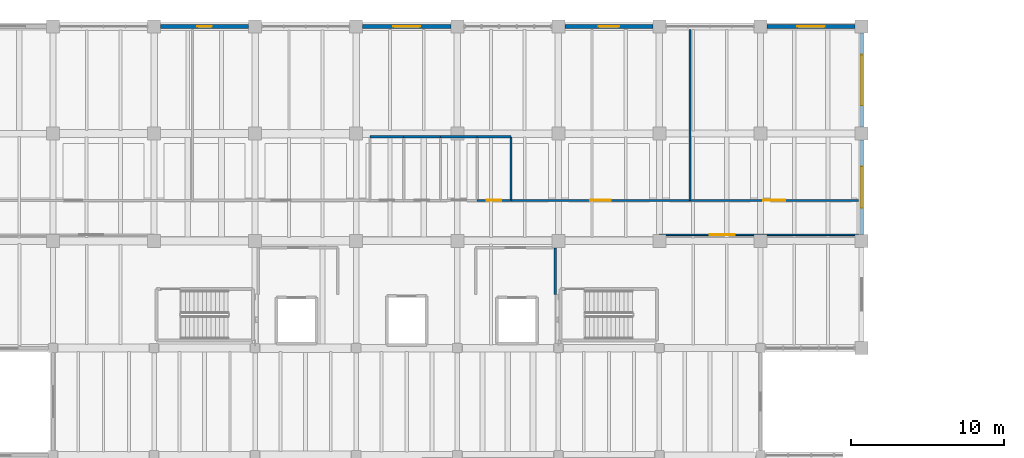
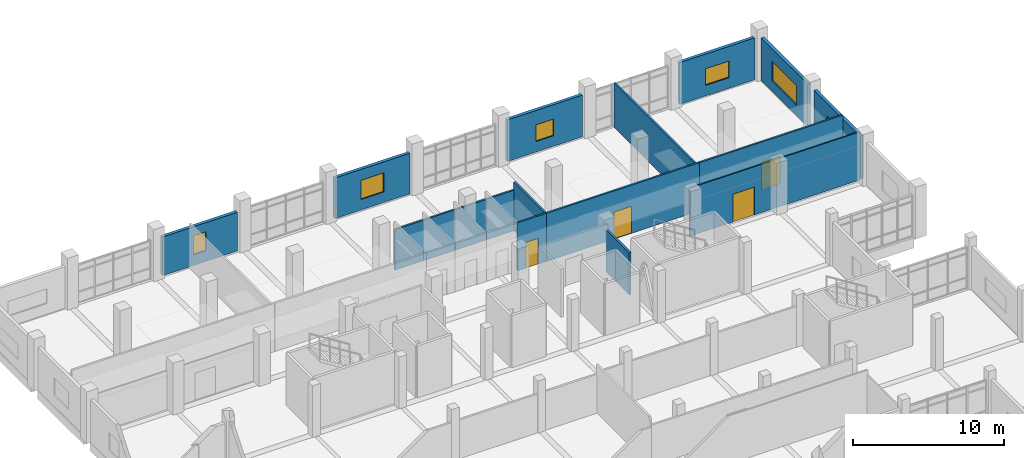
# One storey, part 50 of 68: 17 walls, 6 windows, 4 doors, 10 openings.
"""IFC4 building model written with IfcOpenShell, lengths in metres."""

import ifcopenshell
import ifcopenshell.guid

model = None  # the IFC model being written
_history = None  # IfcOwnerHistory: only IFC2X3 demands one
_inside = {}  # id of a spatial element -> (the spatial element, [elements in it])
_under = {}  # id of a project, library or spatial element -> (it, [spatial elements below it])
_declared = {}  # id of a project -> (the project, [libraries it declares])
_typed = {}  # id of a type object -> (the type object, [elements of that type])
_made_of = {}  # id of a material, layer set ... -> (it, [elements and type objects made of it])


def new_model(schema):
    """Start an empty IFC model of exactly this schema.

    Asked for "IFC4X3", IfcOpenShell would pick the latest addendum, in which some entities
    have other attributes; the version numbers below select the first issue.
    IFC2X3 requires an IfcOwnerHistory on every rooted entity: one is made here for all.
    """
    global model, _history
    if schema == "IFC4X3":
        model = ifcopenshell.file(schema_version=(4, 3, 0, 0))
    else:
        model = ifcopenshell.file(schema=schema)
    _inside.clear()
    _under.clear()
    _declared.clear()
    _typed.clear()
    _made_of.clear()
    _history = None
    if model.schema == "IFC2X3":
        org = make("IfcOrganization", Name="unknown")
        user = make(
            "IfcPersonAndOrganization",
            ThePerson=make("IfcPerson", FamilyName="unknown"),
            TheOrganization=org,
        )
        app = make(
            "IfcApplication",
            ApplicationDeveloper=org,
            Version="unknown",
            ApplicationFullName="unknown",
            ApplicationIdentifier="unknown",
        )
        _history = make(
            "IfcOwnerHistory",
            OwningUser=user,
            OwningApplication=app,
            ChangeAction="ADDED",
            CreationDate=0,
        )
    return model


def make(cls, **values):
    """One entity of the class cls with the attributes given. An attribute that is None is left unset."""
    return model.create_entity(
        cls, **{name: value for name, value in values.items() if value is not None}
    )


def rooted(cls, **values):
    """An entity with a GlobalId (a new one), such as an element, a storey or a relation."""
    return make(cls, GlobalId=ifcopenshell.guid.new(), OwnerHistory=_history, **values)


def si_unit(unit_type, name, prefix=None):
    """IfcSIUnit, for example si_unit("LENGTHUNIT", "METRE", prefix="MILLI")."""
    return make("IfcSIUnit", UnitType=unit_type, Prefix=prefix, Name=name)


def assignment(units):
    """IfcUnitAssignment: the units of a project."""
    return None if units is None else make("IfcUnitAssignment", Units=units)


def point(xyz):
    """IfcCartesianPoint."""
    return None if xyz is None else make("IfcCartesianPoint", Coordinates=xyz)


def direction(xyz):
    """IfcDirection."""
    return None if xyz is None else make("IfcDirection", DirectionRatios=xyz)


def frame(location, z_axis=None, x_axis=None):
    """IfcAxis2Placement3D, a coordinate frame: its origin and axes. An axis left out is left unset."""
    return make(
        "IfcAxis2Placement3D",
        Location=point(location),
        Axis=direction(z_axis),
        RefDirection=direction(x_axis),
    )


def frame_2d(location, x_axis=None):
    """IfcAxis2Placement2D, a coordinate frame in the plane: its origin and x axis."""
    return make(
        "IfcAxis2Placement2D", Location=point(location), RefDirection=direction(x_axis)
    )


def origin():
    """The frame at (0, 0, 0) with its axes left unset."""
    return frame((0.0, 0.0, 0.0))


def place(relative_to, where):
    """IfcLocalPlacement: puts the frame where relative to a parent placement (None: the world)."""
    return make(
        "IfcLocalPlacement", PlacementRelTo=relative_to, RelativePlacement=where
    )


def context(
    kind, dimensions, precision=None, world=None, true_north=None, identifier=None
):
    """IfcGeometricRepresentationContext, for example the 3D "Model" context."""
    return make(
        "IfcGeometricRepresentationContext",
        ContextIdentifier=identifier,
        ContextType=kind,
        CoordinateSpaceDimension=dimensions,
        Precision=precision,
        WorldCoordinateSystem=world,
        TrueNorth=true_north,
    )


def subcontext(parent, identifier, kind, view, scale=None):
    """IfcGeometricRepresentationSubContext, for example "Body" below "Model"."""
    return make(
        "IfcGeometricRepresentationSubContext",
        ContextIdentifier=identifier,
        ContextType=kind,
        ParentContext=parent,
        TargetScale=scale,
        TargetView=view,
    )


def project(units=None, contexts=None):
    """IfcProject with its units and contexts."""
    return rooted(
        "IfcProject",
        Name="project",
        RepresentationContexts=contexts,
        UnitsInContext=assignment(units),
    )


def spatial(cls, under=None, at=None, **own):
    """A site, building, storey or space (cls), placed at a placement, below another one or the project."""
    s = rooted(cls, ObjectPlacement=at, **own)
    if under is not None:
        _under.setdefault(under.id(), (under, []))[1].append(s)
    return s


def profile(cls, at=None, kind="AREA", **sizes):
    """A parametric profile (cls). Its sizes go by their IFC names, for example OverallWidth=200.0."""
    return make(cls, ProfileType=kind, Position=at, **sizes)


def rectangle(**sizes):
    """IfcRectangleProfileDef."""
    return profile("IfcRectangleProfileDef", **sizes)


def extrude(swept, where, along, depth):
    """IfcExtrudedAreaSolid: the profile swept, set in the frame where, extruded along a direction by depth."""
    return make(
        "IfcExtrudedAreaSolid",
        SweptArea=swept,
        Position=where,
        ExtrudedDirection=direction(along),
        Depth=depth,
    )


def shape(context_of_items, identifier, shape_type, items):
    """IfcShapeRepresentation: the items that make up one representation, for example the "Body"."""
    return make(
        "IfcShapeRepresentation",
        ContextOfItems=context_of_items,
        RepresentationIdentifier=identifier,
        RepresentationType=shape_type,
        Items=items,
    )


def material(Name=None, Category=None):
    """IfcMaterial."""
    return make("IfcMaterial", Name=Name, Category=Category)


def layer(
    of_material, thickness, ventilated=None, Name=None, Category=None, Priority=None
):
    """IfcMaterialLayer: one layer of a wall or slab, of a material (None: an air gap)."""
    return make(
        "IfcMaterialLayer",
        Material=of_material,
        LayerThickness=thickness,
        IsVentilated=ventilated,
        Name=Name,
        Category=Category,
        Priority=Priority,
    )


def layer_set(layers, Name=None):
    """IfcMaterialLayerSet."""
    return make("IfcMaterialLayerSet", MaterialLayers=layers, LayerSetName=Name)


def made_of(thing, what):
    """Note that an element or type object is made of a material, layer set ...; save() writes the relation."""
    if what is not None:
        _made_of.setdefault(what.id(), (what, []))[1].append(thing)
    return thing


def type_object(cls, material=None, **own):
    """A type object (cls), such as IfcWallType, which elements share."""
    return made_of(rooted(cls, **own), material)


def element(
    cls,
    number,
    at=None,
    inside=None,
    cuts=None,
    type_object=None,
    material=None,
    context=None,
    identifier="Body",
    shape_type=None,
    held_by="IfcProductDefinitionShape",
    body=None,
    shapes=None,
    **own,
):
    """One element of the class cls, such as IfcWall. Its Tag is "e" and its number.

    at: its placement. inside: the storey or other place that contains it. cuts: it is an
    opening in that element (IfcRelVoidsElement). A single representation is given by context,
    identifier, shape_type and body (its items); several are given by shapes. held_by: the class
    of the entity that holds the representations. save() writes the other relations.
    """
    e = rooted(cls, Tag="e%d" % number, ObjectPlacement=at, **own)
    if body is not None:
        shapes = [shape(context, identifier, shape_type, body)]
    if shapes is not None:
        e.Representation = make(held_by, Representations=shapes)
    if inside is not None:
        _inside.setdefault(inside.id(), (inside, []))[1].append(e)
    if cuts is not None:
        rooted(
            "IfcRelVoidsElement", RelatingBuildingElement=cuts, RelatedOpeningElement=e
        )
    if type_object is not None:
        _typed.setdefault(type_object.id(), (type_object, []))[1].append(e)
    return made_of(e, material)


def fill(opening, filler):
    """IfcRelFillsElement: the door or window that sits in an opening."""
    return rooted(
        "IfcRelFillsElement",
        RelatingOpeningElement=opening,
        RelatedBuildingElement=filler,
    )


def aggregate(whole, parts):
    """IfcRelAggregates: a whole, such as a stair, and the parts it consists of."""
    return rooted("IfcRelAggregates", RelatingObject=whole, RelatedObjects=parts)


def save(model, path):
    """Write the relations noted so far, then the file.

    IfcRelAggregates (storeys below a building ...), IfcRelContainedInSpatialStructure (elements
    in a storey), IfcRelDefinesByType, IfcRelAssociatesMaterial and IfcRelDeclares: one each for
    every whole, place, type object, material and project.
    """
    for whole, parts in _under.values():
        aggregate(whole, parts)
    for where, things in _inside.values():
        rooted(
            "IfcRelContainedInSpatialStructure",
            RelatedElements=things,
            RelatingStructure=where,
        )
    for kind, things in _typed.values():
        rooted("IfcRelDefinesByType", RelatedObjects=things, RelatingType=kind)
    for what, things in _made_of.values():
        rooted("IfcRelAssociatesMaterial", RelatedObjects=things, RelatingMaterial=what)
    for by, libraries in _declared.values():
        rooted("IfcRelDeclares", RelatingContext=by, RelatedDefinitions=libraries)
    model.write(path)


model = new_model("IFC4")

# Units and contexts
model_context = context("Model", 3, precision=1e-05, world=origin(), true_north=direction((0.0, 1.0)))
body_context = subcontext(model_context, "Body", "Model", "MODEL_VIEW")
ifc_project = project(units=[si_unit("LENGTHUNIT", "METRE"), si_unit("AREAUNIT", "SQUARE_METRE"), si_unit("VOLUMEUNIT", "CUBIC_METRE"), si_unit("PLANEANGLEUNIT", "RADIAN"), si_unit("MASSUNIT", "GRAM", prefix="KILO")], contexts=[model_context])

# Site, building, storey
site_placement = place(None, origin())
site = spatial("IfcSite", under=ifc_project, at=site_placement, CompositionType="ELEMENT")
building_placement = place(site_placement, origin())
building = spatial("IfcBuilding", under=site, at=building_placement, Name="Ciguamira Faculty of Natural Sciences", CompositionType="ELEMENT")
storey_placement = place(building_placement, frame((0.0, 0.0, 4.199951171875)))
storey = spatial("IfcBuildingStorey", under=building, at=storey_placement, Name="L01", CompositionType="ELEMENT", Elevation=4.199951171875)

# Wall, opening, window
ifc_material_1 = material(Name="Precast concrete C40/50", Category="concrete")
ifc_layer_1 = layer(ifc_material_1, 0.239990234375, Name="Precast concrete C40/50")
ifc_layer_set_1 = layer_set([ifc_layer_1], Name="Precast concrete C40/50")
wall_type_1 = type_object("IfcWallType", Name="ExtWall_EW-02_240", PredefinedType="SOLIDWALL", material=ifc_layer_set_1)
wall_1_placement = place(storey_placement, frame((70.925048828125, 115.0, 0.0), z_axis=(0.0, 0.0, 1.0), x_axis=(1.0, 0.0, 0.0)))
wall_1 = element("IfcWall", 1, at=wall_1_placement, inside=storey, type_object=wall_type_1, Name="L01 exterior wall 0169", PredefinedType="SOLIDWALL", context=body_context, shape_type="SweptSolid", body=[
    extrude(rectangle(XDim=5.75, YDim=0.239990234375, at=frame_2d((2.875, 0.0))), origin(), (0.0, 0.0, 1.0), 3.135009765625),
])
opening_1_placement = place(wall_1_placement, frame((2.39990234375, 0.0, 0.85009765625)))
opening_1 = element("IfcOpeningElement", 2, at=opening_1_placement, cuts=wall_1, Name="Opening WT-36", PredefinedType="OPENING", context=body_context, shape_type="SweptSolid", body=[
    extrude(rectangle(XDim=0.949951171875, YDim=1.550048828125, at=frame_2d((0.47509765625, 0.77490234375))), frame((0.0, 0.1298828125, 0.0), z_axis=(0.0, -1.0, 0.0), x_axis=(1.0, 0.0, 0.0)), (0.0, 0.0, 1.0), 0.260009765625),
])
ifc_material_2 = material(Name="Hurricane laminated solar glass", Category="glass")
window_type_1 = type_object("IfcWindowType", Name="Window_WT-36_950x1550", PartitioningType="DOUBLE_PANEL_VERTICAL", PredefinedType="WINDOW", material=ifc_material_2)
window_1_placement = place(opening_1_placement, origin())
window_1 = element("IfcWindow", 3, at=window_1_placement, inside=storey, type_object=window_type_1, Name="L01 facade window 0085", OverallHeight=1.550048828125, OverallWidth=0.949951171875, PartitioningType="SINGLE_PANEL", PredefinedType="WINDOW", context=body_context, shape_type="SweptSolid", body=[
    extrude(rectangle(XDim=0.949951171875, YDim=1.550048828125, at=frame_2d((0.47509765625, 0.77490234375))), frame((0.0, 0.030029296875, 0.0), z_axis=(0.0, -1.0, 0.0), x_axis=(1.0, 0.0, 0.0)), (0.0, 0.0, 1.0), 0.06005859375),
])
fill(opening_1, window_1)

wall_2_placement = place(storey_placement, frame((84.125, 115.0, 0.0), z_axis=(0.0, 0.0, 1.0), x_axis=(1.0, 0.0, 0.0)))
wall_2 = element("IfcWall", 4, at=wall_2_placement, inside=storey, type_object=wall_type_1, Name="L01 exterior wall 0170", PredefinedType="SOLIDWALL", context=body_context, shape_type="SweptSolid", body=[
    extrude(rectangle(XDim=5.75, YDim=0.239990234375, at=frame_2d((2.875, 0.0))), origin(), (0.0, 0.0, 1.0), 3.28515625),
])
opening_2_placement = place(wall_2_placement, frame((2.0, 0.0, 0.85009765625)))
opening_2 = element("IfcOpeningElement", 5, at=opening_2_placement, cuts=wall_2, Name="Opening WT-39", PredefinedType="OPENING", context=body_context, shape_type="SweptSolid", body=[
    extrude(rectangle(XDim=1.75, YDim=1.550048828125, at=frame_2d((0.875, 0.77490234375))), frame((0.0, 0.1298828125, 0.0), z_axis=(0.0, -1.0, 0.0), x_axis=(1.0, 0.0, 0.0)), (0.0, 0.0, 1.0), 0.260009765625),
])
window_type_2 = type_object("IfcWindowType", Name="Window_WT-39_1750x1550", PartitioningType="DOUBLE_PANEL_VERTICAL", PredefinedType="WINDOW", material=ifc_material_2)
window_2_placement = place(opening_2_placement, origin())
window_2 = element("IfcWindow", 6, at=window_2_placement, inside=storey, type_object=window_type_2, Name="L01 facade window 0086", OverallHeight=1.550048828125, OverallWidth=1.75, PartitioningType="SINGLE_PANEL", PredefinedType="WINDOW", context=body_context, shape_type="SweptSolid", body=[
    extrude(rectangle(XDim=1.75, YDim=1.550048828125, at=frame_2d((0.875, 0.77490234375))), frame((0.0, 0.030029296875, 0.0), z_axis=(0.0, -1.0, 0.0), x_axis=(1.0, 0.0, 0.0)), (0.0, 0.0, 1.0), 0.06005859375),
])
fill(opening_2, window_2)

wall_3_placement = place(storey_placement, frame((97.324951171875, 115.0, 0.0), z_axis=(0.0, 0.0, 1.0), x_axis=(1.0, 0.0, 0.0)))
wall_3 = element("IfcWall", 7, at=wall_3_placement, inside=storey, type_object=wall_type_1, Name="L01 exterior wall 0171", PredefinedType="SOLIDWALL", context=body_context, shape_type="SweptSolid", body=[
    extrude(rectangle(XDim=5.75, YDim=0.239990234375, at=frame_2d((2.875, 0.0))), origin(), (0.0, 0.0, 1.0), 3.364990234375),
])
opening_3_placement = place(wall_3_placement, frame((2.199951171875, 0.0, 0.85009765625)))
opening_3 = element("IfcOpeningElement", 8, at=opening_3_placement, cuts=wall_3, Name="Opening WT-02", PredefinedType="OPENING", context=body_context, shape_type="SweptSolid", body=[
    extrude(rectangle(XDim=1.35009765625, YDim=1.35009765625, at=frame_2d((0.675048828125, 0.675048828125))), frame((0.0, 0.1298828125, 0.0), z_axis=(0.0, -1.0, 0.0), x_axis=(1.0, 0.0, 0.0)), (0.0, 0.0, 1.0), 0.260009765625),
])
window_type_3 = type_object("IfcWindowType", Name="Window_WT-02_1350x1350", PartitioningType="DOUBLE_PANEL_VERTICAL", PredefinedType="WINDOW", material=ifc_material_2)
window_3_placement = place(opening_3_placement, origin())
window_3 = element("IfcWindow", 9, at=window_3_placement, inside=storey, type_object=window_type_3, Name="L01 facade window 0087", OverallHeight=1.35009765625, OverallWidth=1.35009765625, PartitioningType="SINGLE_PANEL", PredefinedType="WINDOW", context=body_context, shape_type="SweptSolid", body=[
    extrude(rectangle(XDim=1.35009765625, YDim=1.35009765625, at=frame_2d((0.675048828125, 0.675048828125))), frame((0.0, 0.030029296875, 0.0), z_axis=(0.0, -1.0, 0.0), x_axis=(1.0, 0.0, 0.0)), (0.0, 0.0, 1.0), 0.06005859375),
])
fill(opening_3, window_3)

wall_4_placement = place(storey_placement, frame((110.52490234375, 115.0, 0.0), z_axis=(0.0, 0.0, 1.0), x_axis=(1.0, 0.0, 0.0)))
wall_4 = element("IfcWall", 10, at=wall_4_placement, inside=storey, type_object=wall_type_1, Name="L01 exterior wall 0172", PredefinedType="SOLIDWALL", context=body_context, shape_type="SweptSolid", body=[
    extrude(rectangle(XDim=5.75, YDim=0.239990234375, at=frame_2d((2.875, 0.0))), origin(), (0.0, 0.0, 1.0), 3.385009765625),
])
opening_4_placement = place(wall_4_placement, frame((1.97509765625, 0.0, 0.85009765625)))
opening_4 = element("IfcOpeningElement", 11, at=opening_4_placement, cuts=wall_4, Name="Opening WT-05", PredefinedType="OPENING", context=body_context, shape_type="SweptSolid", body=[
    extrude(rectangle(XDim=1.800048828125, YDim=1.35009765625, at=frame_2d((0.89990234375, 0.675048828125))), frame((0.0, 0.1298828125, 0.0), z_axis=(0.0, -1.0, 0.0), x_axis=(1.0, 0.0, 0.0)), (0.0, 0.0, 1.0), 0.260009765625),
])
window_type_4 = type_object("IfcWindowType", Name="Window_WT-05_1800x1350", PartitioningType="DOUBLE_PANEL_VERTICAL", PredefinedType="WINDOW", material=ifc_material_2)
window_4_placement = place(opening_4_placement, origin())
window_4 = element("IfcWindow", 12, at=window_4_placement, inside=storey, type_object=window_type_4, Name="L01 facade window 0088", OverallHeight=1.35009765625, OverallWidth=1.800048828125, PartitioningType="SINGLE_PANEL", PredefinedType="WINDOW", context=body_context, shape_type="SweptSolid", body=[
    extrude(rectangle(XDim=1.800048828125, YDim=1.35009765625, at=frame_2d((0.89990234375, 0.675048828125))), frame((0.0, 0.030029296875, 0.0), z_axis=(0.0, -1.0, 0.0), x_axis=(1.0, 0.0, 0.0)), (0.0, 0.0, 1.0), 0.06005859375),
])
fill(opening_4, window_4)

wall_5_placement = place(storey_placement, frame((116.699951171875, 101.425048828125, 0.0), z_axis=(0.0, 0.0, 1.0), x_axis=(0.0, 1.0, 0.0)))
wall_5 = element("IfcWall", 13, at=wall_5_placement, inside=storey, type_object=wall_type_1, Name="L01 exterior wall 0201", PredefinedType="SOLIDWALL", context=body_context, shape_type="SweptSolid", body=[
    extrude(rectangle(XDim=6.14990234375, YDim=0.239990234375, at=frame_2d((3.074951171875, 0.0))), origin(), (0.0, 0.0, 1.0), 3.465087890625),
])
opening_5_placement = place(wall_5_placement, frame((1.72509765625, 0.0, 0.85009765625)))
opening_5 = element("IfcOpeningElement", 14, at=opening_5_placement, cuts=wall_5, Name="Opening WT-24", PredefinedType="OPENING", context=body_context, shape_type="SweptSolid", body=[
    extrude(rectangle(XDim=2.699951171875, YDim=1.60009765625, at=frame_2d((1.35009765625, 0.800048828125))), frame((0.0, 0.1298828125, 0.0), z_axis=(0.0, -1.0, 0.0), x_axis=(1.0, 0.0, 0.0)), (0.0, 0.0, 1.0), 0.260009765625),
])
window_type_5 = type_object("IfcWindowType", Name="Window_WT-24_2700x1600", PartitioningType="DOUBLE_PANEL_VERTICAL", PredefinedType="WINDOW", material=ifc_material_2)
window_5_placement = place(opening_5_placement, origin())
window_5 = element("IfcWindow", 15, at=window_5_placement, inside=storey, type_object=window_type_5, Name="L01 facade window 0116", OverallHeight=1.60009765625, OverallWidth=2.699951171875, PartitioningType="SINGLE_PANEL", PredefinedType="WINDOW", context=body_context, shape_type="SweptSolid", body=[
    extrude(rectangle(XDim=2.699951171875, YDim=1.60009765625, at=frame_2d((1.35009765625, 0.800048828125))), frame((0.0, 0.030029296875, 0.0), z_axis=(0.0, -1.0, 0.0), x_axis=(1.0, 0.0, 0.0)), (0.0, 0.0, 1.0), 0.06005859375),
])
fill(opening_5, window_5)

wall_6_placement = place(storey_placement, frame((116.699951171875, 108.425048828125, 0.0), z_axis=(0.0, 0.0, 1.0), x_axis=(0.0, 1.0, 0.0)))
wall_6 = element("IfcWall", 16, at=wall_6_placement, inside=storey, type_object=wall_type_1, Name="L01 exterior wall 0202", PredefinedType="SOLIDWALL", context=body_context, shape_type="SweptSolid", body=[
    extrude(rectangle(XDim=6.14990234375, YDim=0.239990234375, at=frame_2d((3.074951171875, 0.0))), origin(), (0.0, 0.0, 1.0), 3.465087890625),
])
opening_6_placement = place(wall_6_placement, frame((1.425048828125, 0.0, 0.85009765625)))
opening_6 = element("IfcOpeningElement", 17, at=opening_6_placement, cuts=wall_6, Name="Opening WT-26", PredefinedType="OPENING", context=body_context, shape_type="SweptSolid", body=[
    extrude(rectangle(XDim=3.300048828125, YDim=1.60009765625, at=frame_2d((1.64990234375, 0.800048828125))), frame((0.0, 0.1298828125, 0.0), z_axis=(0.0, -1.0, 0.0), x_axis=(1.0, 0.0, 0.0)), (0.0, 0.0, 1.0), 0.260009765625),
])
window_type_6 = type_object("IfcWindowType", Name="Window_WT-26_3300x1600", PartitioningType="DOUBLE_PANEL_VERTICAL", PredefinedType="WINDOW", material=ifc_material_2)
window_6_placement = place(opening_6_placement, origin())
window_6 = element("IfcWindow", 18, at=window_6_placement, inside=storey, type_object=window_type_6, Name="L01 facade window 0117", OverallHeight=1.60009765625, OverallWidth=3.300048828125, PartitioningType="SINGLE_PANEL", PredefinedType="WINDOW", context=body_context, shape_type="SweptSolid", body=[
    extrude(rectangle(XDim=3.300048828125, YDim=1.60009765625, at=frame_2d((1.64990234375, 0.800048828125))), frame((0.0, 0.030029296875, 0.0), z_axis=(0.0, -1.0, 0.0), x_axis=(1.0, 0.0, 0.0)), (0.0, 0.0, 1.0), 0.06005859375),
])
fill(opening_6, window_6)

# Wall, opening, door
ifc_material_3 = material(Name="Fire-rated gypsum partition")
ifc_layer_2 = layer(ifc_material_3, 0.10009765625, Name="Fire-rated gypsum partition")
ifc_layer_set_2 = layer_set([ifc_layer_2], Name="Fire-rated gypsum partition")
wall_type_2 = type_object("IfcWallType", Name="IntWall_IW-A10_100", PredefinedType="PARTITIONING", material=ifc_layer_set_2)
wall_7_placement = place(storey_placement, frame((103.5, 101.39990234375, 0.0), z_axis=(0.0, 0.0, 1.0), x_axis=(1.0, 0.0, 0.0)))
wall_7 = element("IfcWall", 19, at=wall_7_placement, inside=storey, type_object=wall_type_2, Name="L01 Department Chair Meeting Room partition north", PredefinedType="PARTITIONING", context=body_context, shape_type="SweptSolid", body=[
    extrude(rectangle(XDim=13.0, YDim=0.10009765625, at=frame_2d((6.5, 0.0))), origin(), (0.0, 0.0, 1.0), 3.900146484375),
])
opening_7_placement = place(wall_7_placement, frame((3.27490234375, 0.0, 0.0)))
opening_7 = element("IfcOpeningElement", 20, at=opening_7_placement, cuts=wall_7, Name="Opening ID-10", PredefinedType="OPENING", context=body_context, shape_type="SweptSolid", body=[
    extrude(rectangle(XDim=1.64990234375, YDim=2.25, at=frame_2d((0.824951171875, 1.125))), frame((0.0, 0.06005859375, 0.0), z_axis=(0.0, -1.0, 0.0), x_axis=(1.0, 0.0, 0.0)), (0.0, 0.0, 1.0), 0.1201171875),
])
ifc_material_4 = material(Name="Reading hall double acoustic door")
door_type_1 = type_object("IfcDoorType", Name="IntDoor_ID-10_1650x2250", OperationType="NOTDEFINED", PredefinedType="DOOR", material=ifc_material_4)
door_1_placement = place(opening_7_placement, frame((1.64990234375, 0.0, 0.0), z_axis=(0.0, 0.0, 1.0), x_axis=(-1.0, 0.0, 0.0)))
door_1 = element("IfcDoor", 21, at=door_1_placement, inside=storey, type_object=door_type_1, Name="L01 Department Chair Meeting Room door", OperationType="SINGLE_SWING_LEFT", OverallHeight=2.25, OverallWidth=1.64990234375, PredefinedType="DOOR", context=body_context, shape_type="SweptSolid", body=[
    extrude(rectangle(XDim=1.64990234375, YDim=2.25, at=frame_2d((0.824951171875, 1.125))), frame((0.0, 0.02490234375, 0.0), z_axis=(0.0, -1.0, 0.0), x_axis=(1.0, 0.0, 0.0)), (0.0, 0.0, 1.0), 0.050048828125),
])
fill(opening_7, door_1)

# Walls
ifc_material_5 = material(Name="Fire-rated blockwork wall", Category="masonry")
ifc_layer_3 = layer(ifc_material_5, 0.159912109375, Name="Fire-rated blockwork wall")
ifc_layer_set_3 = layer_set([ifc_layer_3], Name="Fire-rated blockwork wall")
wall_type_3 = type_object("IfcWallType", Name="IntWall_IW-F16_160", PredefinedType="SOLIDWALL", material=ifc_layer_set_3)
wall_8_placement = place(storey_placement, frame((96.699951171875, 97.5, 0.0), z_axis=(0.0, 0.0, 1.0), x_axis=(0.0, 1.0, 0.0)))
element("IfcWall", 22, at=wall_8_placement, inside=storey, type_object=wall_type_3, Name="L01 Firefighting Lift Lobby 2 partition east", PredefinedType="SOLIDWALL", context=body_context, shape_type="SweptSolid", body=[
    extrude(rectangle(XDim=3.050048828125, YDim=0.159912109375, at=frame_2d((1.52490234375, 0.0))), origin(), (0.0, 0.0, 1.0), 3.405029296875),
])
ifc_material_6 = material(Name="Moisture-resistant service chase wall")
ifc_layer_4 = layer(ifc_material_6, 0.139892578125, Name="Moisture-resistant service chase wall")
ifc_layer_set_4 = layer_set([ifc_layer_4], Name="Moisture-resistant service chase wall")
wall_type_4 = type_object("IfcWallType", Name="IntWall_IW-P14_140", PredefinedType="PLUMBINGWALL", material=ifc_layer_set_4)
wall_9_placement = place(storey_placement, frame((84.60009765625, 107.800048828125, 0.0), z_axis=(0.0, 0.0, 1.0), x_axis=(1.0, 0.0, 0.0)))
element("IfcWall", 23, at=wall_9_placement, inside=storey, type_object=wall_type_4, Name="L01 Accessible WC partition north", PredefinedType="PLUMBINGWALL", context=body_context, shape_type="SweptSolid", body=[
    extrude(rectangle(XDim=2.199951171875, YDim=0.139892578125, at=frame_2d((1.10009765625, 0.0))), origin(), (0.0, 0.0, 1.0), 3.28515625),
])
wall_10_placement = place(storey_placement, frame((86.800048828125, 107.800048828125, 0.0), z_axis=(0.0, 0.0, 1.0), x_axis=(1.0, 0.0, 0.0)))
element("IfcWall", 24, at=wall_10_placement, inside=storey, type_object=wall_type_4, Name="L01 Public Restroom Female partition north", PredefinedType="PLUMBINGWALL", context=body_context, shape_type="SweptSolid", body=[
    extrude(rectangle(XDim=2.39990234375, YDim=0.139892578125, at=frame_2d((1.199951171875, 0.0))), origin(), (0.0, 0.0, 1.0), 3.28515625),
])
wall_11_placement = place(storey_placement, frame((89.199951171875, 107.800048828125, 0.0), z_axis=(0.0, 0.0, 1.0), x_axis=(1.0, 0.0, 0.0)))
element("IfcWall", 25, at=wall_11_placement, inside=storey, type_object=wall_type_4, Name="L01 Public Restroom Male partition north", PredefinedType="PLUMBINGWALL", context=body_context, shape_type="SweptSolid", body=[
    extrude(rectangle(XDim=2.400146484375, YDim=0.139892578125, at=frame_2d((1.2001953125, 0.0))), origin(), (0.0, 0.0, 1.0), 3.28515625),
])

# Wall, opening, door
wall_12_placement = place(storey_placement, frame((91.60009765625, 103.64990234375, 0.0), z_axis=(0.0, 0.0, 1.0), x_axis=(1.0, 0.0, 0.0)))
wall_12 = element("IfcWall", 26, at=wall_12_placement, inside=storey, type_object=wall_type_4, Name="L01 Staff Restroom partition south", PredefinedType="PLUMBINGWALL", context=body_context, shape_type="SweptSolid", body=[
    extrude(rectangle(XDim=2.199951171875, YDim=0.139892578125, at=frame_2d((1.10009765625, 0.0))), origin(), (0.0, 0.0, 1.0), 3.900146484375),
])
opening_8_placement = place(wall_12_placement, frame((0.625, 0.0, 0.0)))
opening_8 = element("IfcOpeningElement", 27, at=opening_8_placement, cuts=wall_12, Name="Opening ID-02", PredefinedType="OPENING", context=body_context, shape_type="SweptSolid", body=[
    extrude(rectangle(XDim=0.949951171875, YDim=2.10009765625, at=frame_2d((0.47509765625, 1.050048828125))), frame((0.0, 0.079833984375, 0.0), z_axis=(0.0, -1.0, 0.0), x_axis=(1.0, 0.0, 0.0)), (0.0, 0.0, 1.0), 0.159912109375),
])
ifc_material_7 = material(Name="Accessible WC outward-clear door")
door_type_2 = type_object("IfcDoorType", Name="IntDoor_ID-02_950x2100", OperationType="NOTDEFINED", PredefinedType="DOOR", material=ifc_material_7)
door_2_placement = place(opening_8_placement, origin())
door_2 = element("IfcDoor", 28, at=door_2_placement, inside=storey, type_object=door_type_2, Name="L01 Staff Restroom door", OperationType="SINGLE_SWING_LEFT", OverallHeight=2.10009765625, OverallWidth=0.949951171875, PredefinedType="DOOR", context=body_context, shape_type="SweptSolid", body=[
    extrude(rectangle(XDim=0.949951171875, YDim=2.10009765625, at=frame_2d((0.47509765625, 1.050048828125))), frame((0.0, 0.02490234375, 0.0), z_axis=(0.0, -1.0, 0.0), x_axis=(1.0, 0.0, 0.0)), (0.0, 0.0, 1.0), 0.050048828125),
])
fill(opening_8, door_2)

# Walls
wall_13_placement = place(storey_placement, frame((91.60009765625, 107.800048828125, 0.0), z_axis=(0.0, 0.0, 1.0), x_axis=(1.0, 0.0, 0.0)))
element("IfcWall", 29, at=wall_13_placement, inside=storey, type_object=wall_type_4, Name="L01 Staff Restroom partition north", PredefinedType="PLUMBINGWALL", context=body_context, shape_type="SweptSolid", body=[
    extrude(rectangle(XDim=2.199951171875, YDim=0.139892578125, at=frame_2d((1.10009765625, 0.0))), origin(), (0.0, 0.0, 1.0), 3.28515625),
])
wall_14_placement = place(storey_placement, frame((93.800048828125, 103.64990234375, 0.0), z_axis=(0.0, 0.0, 1.0), x_axis=(0.0, 1.0, 0.0)))
element("IfcWall", 30, at=wall_14_placement, inside=storey, type_object=wall_type_4, Name="L01 Staff Restroom partition east", PredefinedType="PLUMBINGWALL", context=body_context, shape_type="SweptSolid", body=[
    extrude(rectangle(XDim=4.150146484375, YDim=0.139892578125, at=frame_2d((2.0751953125, 0.0))), origin(), (0.0, 0.0, 1.0), 3.900146484375),
])

# Wall, opening, door
wall_15_placement = place(storey_placement, frame((93.800048828125, 103.64990234375, 0.0), z_axis=(0.0, 0.0, 1.0), x_axis=(1.0, 0.0, 0.0)))
wall_15 = element("IfcWall", 31, at=wall_15_placement, inside=storey, type_object=wall_type_4, Name="L01 Computational Chemistry Seminar Room partition south", PredefinedType="PLUMBINGWALL", context=body_context, shape_type="SweptSolid", body=[
    extrude(rectangle(XDim=11.699951171875, YDim=0.139892578125, at=frame_2d((5.85009765625, 0.0))), origin(), (0.0, 0.0, 1.0), 3.900146484375),
])
opening_9_placement = place(wall_15_placement, frame((5.175048828125, 0.0, 0.0)))
opening_9 = element("IfcOpeningElement", 32, at=opening_9_placement, cuts=wall_15, Name="Opening ID-07", PredefinedType="OPENING", context=body_context, shape_type="SweptSolid", body=[
    extrude(rectangle(XDim=1.35009765625, YDim=2.199951171875, at=frame_2d((0.675048828125, 1.10009765625))), frame((0.0, 0.079833984375, 0.0), z_axis=(0.0, -1.0, 0.0), x_axis=(1.0, 0.0, 0.0)), (0.0, 0.0, 1.0), 0.159912109375),
])
ifc_material_8 = material(Name="Laboratory prep fire door")
door_type_3 = type_object("IfcDoorType", Name="IntDoor_ID-07_1350x2200", OperationType="NOTDEFINED", PredefinedType="DOOR", material=ifc_material_8)
door_3_placement = place(opening_9_placement, origin())
door_3 = element("IfcDoor", 33, at=door_3_placement, inside=storey, type_object=door_type_3, Name="L01 Computational Chemistry Seminar Room door", OperationType="SINGLE_SWING_RIGHT", OverallHeight=2.199951171875, OverallWidth=1.35009765625, PredefinedType="DOOR", context=body_context, shape_type="SweptSolid", body=[
    extrude(rectangle(XDim=1.35009765625, YDim=2.199951171875, at=frame_2d((0.675048828125, 1.10009765625))), frame((0.0, 0.02490234375, 0.0), z_axis=(0.0, -1.0, 0.0), x_axis=(1.0, 0.0, 0.0)), (0.0, 0.0, 1.0), 0.050048828125),
])
fill(opening_9, door_3)

# Wall
wall_16_placement = place(storey_placement, frame((105.5, 103.64990234375, 0.0), z_axis=(0.0, 0.0, 1.0), x_axis=(0.0, 1.0, 0.0)))
element("IfcWall", 34, at=wall_16_placement, inside=storey, type_object=wall_type_4, Name="L01 Computational Chemistry Seminar Room partition east", PredefinedType="PLUMBINGWALL", context=body_context, shape_type="SweptSolid", body=[
    extrude(rectangle(XDim=11.150146484375, YDim=0.139892578125, at=frame_2d((5.5751953125, 0.0))), origin(), (0.0, 0.0, 1.0), 3.594482421875),
])

# Wall, opening, door
wall_17_placement = place(storey_placement, frame((105.5, 103.64990234375, 0.0), z_axis=(0.0, 0.0, 1.0), x_axis=(1.0, 0.0, 0.0)))
wall_17 = element("IfcWall", 35, at=wall_17_placement, inside=storey, type_object=wall_type_4, Name="L01 Chemistry Academic Staff Offices partition south", PredefinedType="PLUMBINGWALL", context=body_context, shape_type="SweptSolid", body=[
    extrude(rectangle(XDim=11.0, YDim=0.139892578125, at=frame_2d((5.5, 0.0))), origin(), (0.0, 0.0, 1.0), 3.900146484375),
])
opening_10_placement = place(wall_17_placement, frame((4.77490234375, 0.0, 0.0)))
opening_10 = element("IfcOpeningElement", 36, at=opening_10_placement, cuts=wall_17, Name="Opening ID-08", PredefinedType="OPENING", context=body_context, shape_type="SweptSolid", body=[
    extrude(rectangle(XDim=1.449951171875, YDim=2.199951171875, at=frame_2d((0.72509765625, 1.10009765625))), frame((0.0, 0.079833984375, 0.0), z_axis=(0.0, -1.0, 0.0), x_axis=(1.0, 0.0, 0.0)), (0.0, 0.0, 1.0), 0.159912109375),
])
ifc_material_9 = material(Name="Wet chemistry laboratory door")
door_type_4 = type_object("IfcDoorType", Name="IntDoor_ID-08_1450x2200", OperationType="NOTDEFINED", PredefinedType="DOOR", material=ifc_material_9)
door_4_placement = place(opening_10_placement, origin())
door_4 = element("IfcDoor", 37, at=door_4_placement, inside=storey, type_object=door_type_4, Name="L01 Chemistry Academic Staff Offices door", OperationType="SINGLE_SWING_LEFT", OverallHeight=2.199951171875, OverallWidth=1.449951171875, PredefinedType="DOOR", context=body_context, shape_type="SweptSolid", body=[
    extrude(rectangle(XDim=1.449951171875, YDim=2.199951171875, at=frame_2d((0.72509765625, 1.10009765625))), frame((0.0, 0.02490234375, 0.0), z_axis=(0.0, -1.0, 0.0), x_axis=(1.0, 0.0, 0.0)), (0.0, 0.0, 1.0), 0.050048828125),
])
fill(opening_10, door_4)

save(model, "model.ifc")
